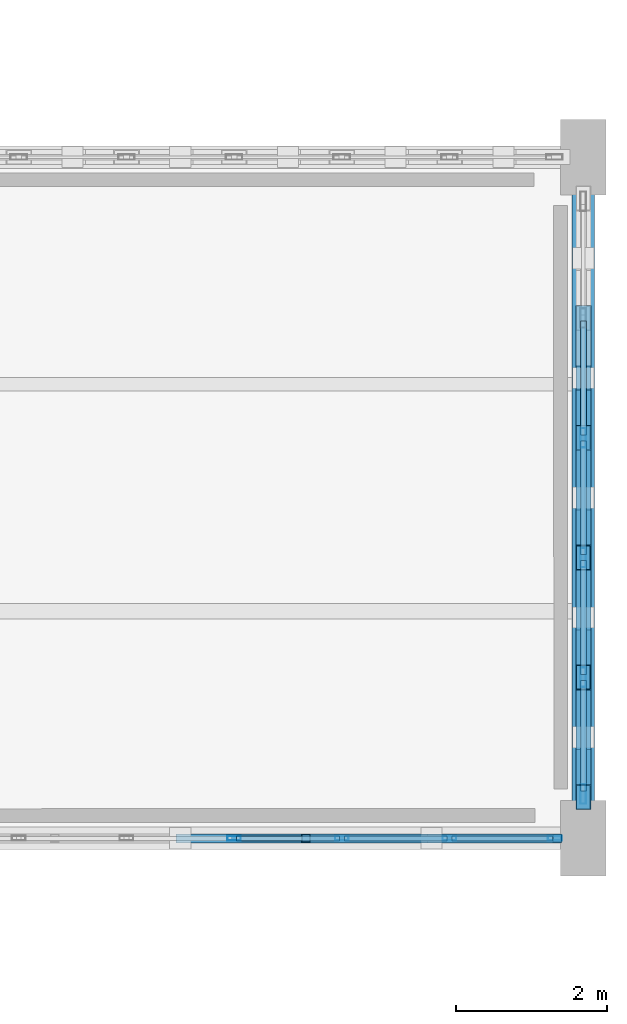
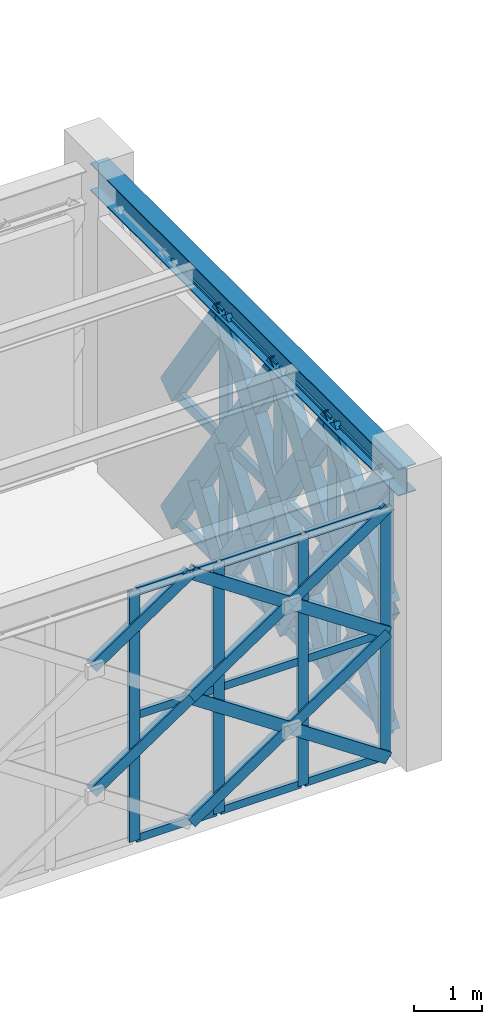
# One storey, part 115 of 155: 58 members, 1 beam, 2 elements without a shape of their own.
"""IFC4 building model written with IfcOpenShell, lengths in metres."""

from ifc_helpers import new_model, si_unit, direction, frame, origin, origin_2d, place, context, subcontext, project, spatial, hollow_rectangle, i_section, extrude, material, material_profile, profile_set, type_object, element, aggregate, save


model = new_model("IFC4")

# Units and contexts
model_context = context("Model", 3, precision=1e-05, world=origin(), true_north=direction((0.0, 1.0)))
body_context = subcontext(model_context, "Body", "Model", "MODEL_VIEW")
ifc_project = project(units=[si_unit("LENGTHUNIT", "METRE"), si_unit("AREAUNIT", "SQUARE_METRE"), si_unit("VOLUMEUNIT", "CUBIC_METRE"), si_unit("PLANEANGLEUNIT", "RADIAN"), si_unit("MASSUNIT", "GRAM", prefix="KILO")], contexts=[model_context])

# Site, building, storey
site_placement = place(None, origin())
site = spatial("IfcSite", under=ifc_project, at=site_placement, CompositionType="ELEMENT")
building_placement = place(site_placement, origin())
building = spatial("IfcBuilding", under=site, at=building_placement, Name="Haizhuo Lancet Aquarium", CompositionType="ELEMENT")
storey_placement = place(building_placement, frame((0.0, 0.0, 10.800048828125)))
storey = spatial("IfcBuildingStorey", under=building, at=storey_placement, Name="L02", CompositionType="ELEMENT", Elevation=10.800048828125)

# Beam
ifc_material_1 = material(Name="Steel S355", Category="steel")
ifc_material_profile_1 = material_profile(ifc_material_1, i_section(OverallWidth=0.300048828125, OverallDepth=0.488037109375, WebThickness=0.010986328125, FlangeThickness=0.01806640625, FilletRadius=0.02392578125, at=origin_2d()), Name="HM 488x300x11x18")
ifc_profile_set_1 = profile_set([ifc_material_profile_1], Name="Steel S355")
beam_type = type_object("IfcBeamType", Name="BM-ST-HM488", PredefinedType="BEAM", material=ifc_profile_set_1)
beam_placement = place(storey_placement, frame((82.5, 9.0, 4.805908203125), z_axis=(0.0, 1.0, 0.0), x_axis=(-1.0, 0.0, 0.0)))
element("IfcBeam", 1, at=beam_placement, inside=storey, type_object=beam_type, Name="L02 V7 primary girder BM-L02-V7-031", PredefinedType="BEAM", context=body_context, shape_type="SweptSolid", body=[
    extrude(i_section(OverallWidth=0.300048828125, OverallDepth=0.488037109375, WebThickness=0.010986328125, FlangeThickness=0.01806640625, FilletRadius=0.02392578125, at=origin_2d()), origin(), (0.0, 0.0, 1.0), 9.0),
])

# Curtain wall, members
ifc_material_2 = material(Name="Aluminium 6063-T6", Category="aluminium")
curtain_wall_type_1 = type_object("IfcCurtainWallType", Name="CWO-9960x4460", PredefinedType="NOTDEFINED", material=ifc_material_2)
curtain_wall_1_placement = place(storey_placement, origin())
curtain_wall_1 = element("IfcCurtainWall", 2, at=curtain_wall_1_placement, inside=storey, type_object=curtain_wall_type_1, Name="L02 curtain wall CW-V7-L02-304", PredefinedType="NOTDEFINED")
ifc_material_profile_2 = material_profile(ifc_material_2, hollow_rectangle(XDim=0.06494140625, YDim=0.179931640625, WallThickness=0.00390625, at=origin_2d()), Name="ALU-M 65x180x4")
ifc_profile_set_2 = profile_set([ifc_material_profile_2], Name="Aluminium 6063-T6")
member_type_1 = type_object("IfcMemberType", Name="CW-MUL-1", PredefinedType="MULLION", material=ifc_profile_set_2)
member_1_placement = place(storey_placement, frame((82.123046875, 9.0, 0.0), z_axis=(0.0, 0.0, 1.0), x_axis=(0.0, -1.0, 0.0)))
member_1 = element("IfcMember", 3, at=member_1_placement, type_object=member_type_1, Name="CWO-99x44 mullion 1", PredefinedType="MULLION", context=body_context, shape_type="SweptSolid", body=[
    extrude(hollow_rectangle(XDim=0.06494140625, YDim=0.179931640625, WallThickness=0.00390625, at=origin_2d()), origin(), (0.0, 0.0, 1.0), 4.4619140625),
])
member_2_placement = place(storey_placement, frame((80.73193359375, 9.0, 0.0), z_axis=(0.0, 0.0, 1.0), x_axis=(0.0, -1.0, 0.0)))
member_2 = element("IfcMember", 4, at=member_2_placement, type_object=member_type_1, Name="CWO-99x44 mullion 2", PredefinedType="MULLION", context=body_context, shape_type="SweptSolid", body=[
    extrude(hollow_rectangle(XDim=0.06494140625, YDim=0.179931640625, WallThickness=0.00390625, at=origin_2d()), origin(), (0.0, 0.0, 1.0), 4.4619140625),
])
member_3_placement = place(storey_placement, frame((79.30908203125, 9.0, 0.0), z_axis=(0.0, 0.0, 1.0), x_axis=(0.0, -1.0, 0.0)))
member_3 = element("IfcMember", 5, at=member_3_placement, type_object=member_type_1, Name="CWO-99x44 mullion 3", PredefinedType="MULLION", context=body_context, shape_type="SweptSolid", body=[
    extrude(hollow_rectangle(XDim=0.06494140625, YDim=0.179931640625, WallThickness=0.00390625, at=origin_2d()), origin(), (0.0, 0.0, 1.0), 4.4619140625),
])
member_4_placement = place(storey_placement, frame((77.885986328125, 9.0, 0.0), z_axis=(0.0, 0.0, 1.0), x_axis=(0.0, -1.0, 0.0)))
member_4 = element("IfcMember", 6, at=member_4_placement, type_object=member_type_1, Name="CWO-99x44 mullion 4", PredefinedType="MULLION", context=body_context, shape_type="SweptSolid", body=[
    extrude(hollow_rectangle(XDim=0.06494140625, YDim=0.179931640625, WallThickness=0.00390625, at=origin_2d()), origin(), (0.0, 0.0, 1.0), 4.4619140625),
])

curtain_wall_type_2 = type_object("IfcCurtainWallType", Name="CWD-7910x4560", PredefinedType="NOTDEFINED", material=ifc_material_2)
curtain_wall_2_placement = place(storey_placement, origin())
curtain_wall_2 = element("IfcCurtainWall", 7, at=curtain_wall_2_placement, inside=storey, type_object=curtain_wall_type_2, Name="L02 curtain wall CW-V7-L02-303", PredefinedType="NOTDEFINED")
ifc_material_profile_3 = material_profile(ifc_material_2, hollow_rectangle(XDim=0.080078125, YDim=0.260009765625, WallThickness=0.0048828125, at=origin_2d()), Name="ALU-M 80x260x5")
ifc_profile_set_3 = profile_set([ifc_material_profile_3], Name="Aluminium 6063-T6")
member_type_2 = type_object("IfcMemberType", Name="CW-MUL-3", PredefinedType="MULLION", material=ifc_profile_set_3)
member_5_placement = place(storey_placement, frame((82.5, 14.291015625, 0.0), z_axis=(0.0, 0.0, 1.0), x_axis=(1.0, 0.0, 0.0)))
member_5 = element("IfcMember", 8, at=member_5_placement, type_object=member_type_2, Name="CWD-79x45 mullion 3", PredefinedType="MULLION", context=body_context, shape_type="SweptSolid", body=[
    extrude(hollow_rectangle(XDim=0.080078125, YDim=0.260009765625, WallThickness=0.0048828125, at=origin_2d()), origin(), (0.0, 0.0, 1.0), 4.56201171875),
])
member_6_placement = place(storey_placement, frame((82.5, 12.708984375, 0.0), z_axis=(0.0, 0.0, 1.0), x_axis=(1.0, 0.0, 0.0)))
member_6 = element("IfcMember", 9, at=member_6_placement, type_object=member_type_2, Name="CWD-79x45 mullion 4", PredefinedType="MULLION", context=body_context, shape_type="SweptSolid", body=[
    extrude(hollow_rectangle(XDim=0.080078125, YDim=0.260009765625, WallThickness=0.0048828125, at=origin_2d()), origin(), (0.0, 0.0, 1.0), 4.56201171875),
])
member_7_placement = place(storey_placement, frame((82.5, 11.126953125, 0.0), z_axis=(0.0, 0.0, 1.0), x_axis=(1.0, 0.0, 0.0)))
member_7 = element("IfcMember", 10, at=member_7_placement, type_object=member_type_2, Name="CWD-79x45 mullion 5", PredefinedType="MULLION", context=body_context, shape_type="SweptSolid", body=[
    extrude(hollow_rectangle(XDim=0.080078125, YDim=0.260009765625, WallThickness=0.0048828125, at=origin_2d()), origin(), (0.0, 0.0, 1.0), 4.56201171875),
])
member_8_placement = place(storey_placement, frame((82.5, 9.5849609375, 0.0), z_axis=(0.0, 0.0, 1.0), x_axis=(1.0, 0.0, 0.0)))
member_8 = element("IfcMember", 11, at=member_8_placement, type_object=member_type_2, Name="CWD-79x45 mullion 6", PredefinedType="MULLION", context=body_context, shape_type="SweptSolid", body=[
    extrude(hollow_rectangle(XDim=0.080078125, YDim=0.260009765625, WallThickness=0.0048828125, at=origin_2d()), origin(), (0.0, 0.0, 1.0), 4.56201171875),
])

# Member
ifc_material_profile_4 = material_profile(ifc_material_2, hollow_rectangle(XDim=0.06494140625, YDim=0.139892578125, WallThickness=0.00390625, at=origin_2d()), Name="ALU-T 65x140x4")
ifc_profile_set_4 = profile_set([ifc_material_profile_4], Name="Aluminium 6063-T6")
member_type_3 = type_object("IfcMemberType", Name="CW-TRN-1", PredefinedType="NOTDEFINED", material=ifc_profile_set_4)
member_9_placement = place(storey_placement, frame((82.090087890625, 9.0, 0.032958984375), z_axis=(-1.0, 0.0, 0.0), x_axis=(0.0, -1.0, 0.0)))
member_9 = element("IfcMember", 12, at=member_9_placement, type_object=member_type_3, Name="CWO-99x44 transom 1.1", ObjectType="TRANSOM", PredefinedType="USERDEFINED", context=body_context, shape_type="SweptSolid", body=[
    extrude(hollow_rectangle(XDim=0.06494140625, YDim=0.139892578125, WallThickness=0.00390625, at=origin_2d()), origin(), (0.0, 0.0, 1.0), 1.3251953125),
])

member_10_placement = place(storey_placement, frame((82.090087890625, 9.0, 2.23095703125), z_axis=(-1.0, 0.0, 0.0), x_axis=(0.0, -1.0, 0.0)))
member_10 = element("IfcMember", 13, at=member_10_placement, type_object=member_type_3, Name="CWO-99x44 transom 1.2", ObjectType="TRANSOM", PredefinedType="USERDEFINED", context=body_context, shape_type="SweptSolid", body=[
    extrude(hollow_rectangle(XDim=0.06494140625, YDim=0.139892578125, WallThickness=0.00390625, at=origin_2d()), origin(), (0.0, 0.0, 1.0), 1.3251953125),
])

member_11_placement = place(storey_placement, frame((82.090087890625, 9.0, 4.428955078125), z_axis=(-1.0, 0.0, 0.0), x_axis=(0.0, -1.0, 0.0)))
member_11 = element("IfcMember", 14, at=member_11_placement, type_object=member_type_3, Name="CWO-99x44 transom 1.3", ObjectType="TRANSOM", PredefinedType="USERDEFINED", context=body_context, shape_type="SweptSolid", body=[
    extrude(hollow_rectangle(XDim=0.06494140625, YDim=0.139892578125, WallThickness=0.00390625, at=origin_2d()), origin(), (0.0, 0.0, 1.0), 1.3251953125),
])

member_12_placement = place(storey_placement, frame((80.699951171875, 9.0, 0.032958984375), z_axis=(-1.0, 0.0, 0.0), x_axis=(0.0, -1.0, 0.0)))
member_12 = element("IfcMember", 15, at=member_12_placement, type_object=member_type_3, Name="CWO-99x44 transom 2.1", ObjectType="TRANSOM", PredefinedType="USERDEFINED", context=body_context, shape_type="SweptSolid", body=[
    extrude(hollow_rectangle(XDim=0.06494140625, YDim=0.139892578125, WallThickness=0.00390625, at=origin_2d()), origin(), (0.0, 0.0, 1.0), 1.35791015625),
])

member_13_placement = place(storey_placement, frame((80.699951171875, 9.0, 2.23095703125), z_axis=(-1.0, 0.0, 0.0), x_axis=(0.0, -1.0, 0.0)))
member_13 = element("IfcMember", 16, at=member_13_placement, type_object=member_type_3, Name="CWO-99x44 transom 2.2", ObjectType="TRANSOM", PredefinedType="USERDEFINED", context=body_context, shape_type="SweptSolid", body=[
    extrude(hollow_rectangle(XDim=0.06494140625, YDim=0.139892578125, WallThickness=0.00390625, at=origin_2d()), origin(), (0.0, 0.0, 1.0), 1.35791015625),
])

member_14_placement = place(storey_placement, frame((80.699951171875, 9.0, 4.428955078125), z_axis=(-1.0, 0.0, 0.0), x_axis=(0.0, -1.0, 0.0)))
member_14 = element("IfcMember", 17, at=member_14_placement, type_object=member_type_3, Name="CWO-99x44 transom 2.3", ObjectType="TRANSOM", PredefinedType="USERDEFINED", context=body_context, shape_type="SweptSolid", body=[
    extrude(hollow_rectangle(XDim=0.06494140625, YDim=0.139892578125, WallThickness=0.00390625, at=origin_2d()), origin(), (0.0, 0.0, 1.0), 1.35791015625),
])

member_15_placement = place(storey_placement, frame((79.277099609375, 9.0, 0.032958984375), z_axis=(-1.0, 0.0, 0.0), x_axis=(0.0, -1.0, 0.0)))
member_15 = element("IfcMember", 18, at=member_15_placement, type_object=member_type_3, Name="CWO-99x44 transom 3.1", ObjectType="TRANSOM", PredefinedType="USERDEFINED", context=body_context, shape_type="SweptSolid", body=[
    extrude(hollow_rectangle(XDim=0.06494140625, YDim=0.139892578125, WallThickness=0.00390625, at=origin_2d()), origin(), (0.0, 0.0, 1.0), 1.358154296875),
])

member_16_placement = place(storey_placement, frame((79.277099609375, 9.0, 2.23095703125), z_axis=(-1.0, 0.0, 0.0), x_axis=(0.0, -1.0, 0.0)))
member_16 = element("IfcMember", 19, at=member_16_placement, type_object=member_type_3, Name="CWO-99x44 transom 3.2", ObjectType="TRANSOM", PredefinedType="USERDEFINED", context=body_context, shape_type="SweptSolid", body=[
    extrude(hollow_rectangle(XDim=0.06494140625, YDim=0.139892578125, WallThickness=0.00390625, at=origin_2d()), origin(), (0.0, 0.0, 1.0), 1.358154296875),
])

member_17_placement = place(storey_placement, frame((79.277099609375, 9.0, 4.428955078125), z_axis=(-1.0, 0.0, 0.0), x_axis=(0.0, -1.0, 0.0)))
member_17 = element("IfcMember", 20, at=member_17_placement, type_object=member_type_3, Name="CWO-99x44 transom 3.3", ObjectType="TRANSOM", PredefinedType="USERDEFINED", context=body_context, shape_type="SweptSolid", body=[
    extrude(hollow_rectangle(XDim=0.06494140625, YDim=0.139892578125, WallThickness=0.00390625, at=origin_2d()), origin(), (0.0, 0.0, 1.0), 1.358154296875),
])

aggregate(curtain_wall_1, [member_1, member_2, member_3, member_4, member_9, member_10, member_11, member_12, member_13, member_14, member_15, member_16, member_17])

ifc_material_profile_5 = material_profile(ifc_material_2, hollow_rectangle(XDim=0.080078125, YDim=0.18994140625, WallThickness=0.0048828125, at=origin_2d()), Name="ALU-T 80x190x5")
ifc_profile_set_5 = profile_set([ifc_material_profile_5], Name="Aluminium 6063-T6")
member_type_4 = type_object("IfcMemberType", Name="CW-TRN-3", PredefinedType="NOTDEFINED", material=ifc_profile_set_5)
member_18_placement = place(storey_placement, frame((82.5, 15.8330078125, 0.0400390625), z_axis=(0.0, -1.0, 0.0), x_axis=(1.0, 0.0, 0.0)))
member_18 = element("IfcMember", 21, at=member_18_placement, type_object=member_type_4, Name="CWD-79x45 transom 2.1", ObjectType="TRANSOM", PredefinedType="USERDEFINED", context=body_context, shape_type="SweptSolid", body=[
    extrude(hollow_rectangle(XDim=0.080078125, YDim=0.18994140625, WallThickness=0.0048828125, at=origin_2d()), origin(), (0.0, 0.0, 1.0), 1.501953125),
])

member_19_placement = place(storey_placement, frame((82.5, 15.8330078125, 2.281005859375), z_axis=(0.0, -1.0, 0.0), x_axis=(1.0, 0.0, 0.0)))
member_19 = element("IfcMember", 22, at=member_19_placement, type_object=member_type_4, Name="CWD-79x45 transom 2.2", ObjectType="TRANSOM", PredefinedType="USERDEFINED", context=body_context, shape_type="SweptSolid", body=[
    extrude(hollow_rectangle(XDim=0.080078125, YDim=0.18994140625, WallThickness=0.0048828125, at=origin_2d()), origin(), (0.0, 0.0, 1.0), 1.501953125),
])

member_20_placement = place(storey_placement, frame((82.5, 15.8330078125, 4.52197265625), z_axis=(0.0, -1.0, 0.0), x_axis=(1.0, 0.0, 0.0)))
member_20 = element("IfcMember", 23, at=member_20_placement, type_object=member_type_4, Name="CWD-79x45 transom 2.3", ObjectType="TRANSOM", PredefinedType="USERDEFINED", context=body_context, shape_type="SweptSolid", body=[
    extrude(hollow_rectangle(XDim=0.080078125, YDim=0.18994140625, WallThickness=0.0048828125, at=origin_2d()), origin(), (0.0, 0.0, 1.0), 1.501953125),
])

member_21_placement = place(storey_placement, frame((82.5, 14.2509765625, 0.0400390625), z_axis=(0.0, -1.0, 0.0), x_axis=(1.0, 0.0, 0.0)))
member_21 = element("IfcMember", 24, at=member_21_placement, type_object=member_type_4, Name="CWD-79x45 transom 3.1", ObjectType="TRANSOM", PredefinedType="USERDEFINED", context=body_context, shape_type="SweptSolid", body=[
    extrude(hollow_rectangle(XDim=0.080078125, YDim=0.18994140625, WallThickness=0.0048828125, at=origin_2d()), origin(), (0.0, 0.0, 1.0), 1.501953125),
])

member_22_placement = place(storey_placement, frame((82.5, 14.2509765625, 2.281005859375), z_axis=(0.0, -1.0, 0.0), x_axis=(1.0, 0.0, 0.0)))
member_22 = element("IfcMember", 25, at=member_22_placement, type_object=member_type_4, Name="CWD-79x45 transom 3.2", ObjectType="TRANSOM", PredefinedType="USERDEFINED", context=body_context, shape_type="SweptSolid", body=[
    extrude(hollow_rectangle(XDim=0.080078125, YDim=0.18994140625, WallThickness=0.0048828125, at=origin_2d()), origin(), (0.0, 0.0, 1.0), 1.501953125),
])

member_23_placement = place(storey_placement, frame((82.5, 14.2509765625, 4.52197265625), z_axis=(0.0, -1.0, 0.0), x_axis=(1.0, 0.0, 0.0)))
member_23 = element("IfcMember", 26, at=member_23_placement, type_object=member_type_4, Name="CWD-79x45 transom 3.3", ObjectType="TRANSOM", PredefinedType="USERDEFINED", context=body_context, shape_type="SweptSolid", body=[
    extrude(hollow_rectangle(XDim=0.080078125, YDim=0.18994140625, WallThickness=0.0048828125, at=origin_2d()), origin(), (0.0, 0.0, 1.0), 1.501953125),
])

member_24_placement = place(storey_placement, frame((82.5, 12.6689453125, 0.0400390625), z_axis=(0.0, -1.0, 0.0), x_axis=(1.0, 0.0, 0.0)))
member_24 = element("IfcMember", 27, at=member_24_placement, type_object=member_type_4, Name="CWD-79x45 transom 4.1", ObjectType="TRANSOM", PredefinedType="USERDEFINED", context=body_context, shape_type="SweptSolid", body=[
    extrude(hollow_rectangle(XDim=0.080078125, YDim=0.18994140625, WallThickness=0.0048828125, at=origin_2d()), origin(), (0.0, 0.0, 1.0), 1.501953125),
])

member_25_placement = place(storey_placement, frame((82.5, 12.6689453125, 2.281005859375), z_axis=(0.0, -1.0, 0.0), x_axis=(1.0, 0.0, 0.0)))
member_25 = element("IfcMember", 28, at=member_25_placement, type_object=member_type_4, Name="CWD-79x45 transom 4.2", ObjectType="TRANSOM", PredefinedType="USERDEFINED", context=body_context, shape_type="SweptSolid", body=[
    extrude(hollow_rectangle(XDim=0.080078125, YDim=0.18994140625, WallThickness=0.0048828125, at=origin_2d()), origin(), (0.0, 0.0, 1.0), 1.501953125),
])

member_26_placement = place(storey_placement, frame((82.5, 12.6689453125, 4.52197265625), z_axis=(0.0, -1.0, 0.0), x_axis=(1.0, 0.0, 0.0)))
member_26 = element("IfcMember", 29, at=member_26_placement, type_object=member_type_4, Name="CWD-79x45 transom 4.3", ObjectType="TRANSOM", PredefinedType="USERDEFINED", context=body_context, shape_type="SweptSolid", body=[
    extrude(hollow_rectangle(XDim=0.080078125, YDim=0.18994140625, WallThickness=0.0048828125, at=origin_2d()), origin(), (0.0, 0.0, 1.0), 1.501953125),
])

member_27_placement = place(storey_placement, frame((82.5, 11.0869140625, 0.0400390625), z_axis=(0.0, -1.0, 0.0), x_axis=(1.0, 0.0, 0.0)))
member_27 = element("IfcMember", 30, at=member_27_placement, type_object=member_type_4, Name="CWD-79x45 transom 5.1", ObjectType="TRANSOM", PredefinedType="USERDEFINED", context=body_context, shape_type="SweptSolid", body=[
    extrude(hollow_rectangle(XDim=0.080078125, YDim=0.18994140625, WallThickness=0.0048828125, at=origin_2d()), origin(), (0.0, 0.0, 1.0), 1.4619140625),
])

member_28_placement = place(storey_placement, frame((82.5, 11.0869140625, 2.281005859375), z_axis=(0.0, -1.0, 0.0), x_axis=(1.0, 0.0, 0.0)))
member_28 = element("IfcMember", 31, at=member_28_placement, type_object=member_type_4, Name="CWD-79x45 transom 5.2", ObjectType="TRANSOM", PredefinedType="USERDEFINED", context=body_context, shape_type="SweptSolid", body=[
    extrude(hollow_rectangle(XDim=0.080078125, YDim=0.18994140625, WallThickness=0.0048828125, at=origin_2d()), origin(), (0.0, 0.0, 1.0), 1.4619140625),
])

member_29_placement = place(storey_placement, frame((82.5, 11.0869140625, 4.52197265625), z_axis=(0.0, -1.0, 0.0), x_axis=(1.0, 0.0, 0.0)))
member_29 = element("IfcMember", 32, at=member_29_placement, type_object=member_type_4, Name="CWD-79x45 transom 5.3", ObjectType="TRANSOM", PredefinedType="USERDEFINED", context=body_context, shape_type="SweptSolid", body=[
    extrude(hollow_rectangle(XDim=0.080078125, YDim=0.18994140625, WallThickness=0.0048828125, at=origin_2d()), origin(), (0.0, 0.0, 1.0), 1.4619140625),
])

aggregate(curtain_wall_2, [member_5, member_6, member_7, member_8, member_18, member_19, member_20, member_21, member_22, member_23, member_24, member_25, member_26, member_27, member_28, member_29])

# Members
ifc_material_profile_6 = material_profile(ifc_material_1, hollow_rectangle(XDim=0.1201171875, YDim=0.199951171875, WallThickness=0.008056640625, at=origin_2d()), Name="RHS 120x200x8")
ifc_profile_set_6 = profile_set([ifc_material_profile_6], Name="Steel S355")
member_type_5 = type_object("IfcMemberType", Name="MEM-LB-RHS120x200", PredefinedType="BRACE", material=ifc_profile_set_6)
member_30_placement = place(storey_placement, frame((82.155029296875, 9.0, 0.0), z_axis=(-0.83001648844, 0.0, 0.557738853692), x_axis=(0.0, -1.0, 0.0)))
element("IfcMember", 33, at=member_30_placement, inside=storey, type_object=member_type_5, Name="Gothic lancet continuous diagonal brace CW-V7-L02-304 1A", PredefinedType="BRACE", context=body_context, shape_type="SweptSolid", body=[
    extrude(hollow_rectangle(XDim=0.1201171875, YDim=0.199951171875, WallThickness=0.008056640625, at=origin_2d()), origin(), (0.0, 0.0, 1.0), 4.0),
])
member_31_placement = place(storey_placement, frame((78.8349609375, 9.0, 0.0), z_axis=(0.829922460032, 0.0, 0.55787875953), x_axis=(0.0, 1.0, 0.0)))
element("IfcMember", 34, at=member_31_placement, inside=storey, type_object=member_type_5, Name="Gothic lancet split diagonal brace CW-V7-L02-304 1B1", PredefinedType="BRACE", context=body_context, shape_type="SweptSolid", body=[
    extrude(hollow_rectangle(XDim=0.1201171875, YDim=0.199951171875, WallThickness=0.008056640625, at=origin_2d()), origin(), (0.0, 0.0, 1.0), 2.00048828125),
])
member_32_placement = place(storey_placement, frame((80.4951171875, 9.0, 1.115966796875), z_axis=(0.83011052839, 0.0, 0.557598879712), x_axis=(0.0, 1.0, 0.0)))
element("IfcMember", 35, at=member_32_placement, inside=storey, type_object=member_type_5, Name="Gothic lancet split diagonal brace CW-V7-L02-304 1B2", PredefinedType="BRACE", context=body_context, shape_type="SweptSolid", body=[
    extrude(hollow_rectangle(XDim=0.1201171875, YDim=0.199951171875, WallThickness=0.008056640625, at=origin_2d()), origin(), (0.0, 0.0, 1.0), 1.99951171875),
])
member_33_placement = place(storey_placement, frame((82.155029296875, 9.0, 2.23095703125), z_axis=(-0.83001648844, 0.0, 0.557738853692), x_axis=(0.0, -1.0, 0.0)))
element("IfcMember", 36, at=member_33_placement, inside=storey, type_object=member_type_5, Name="Gothic lancet continuous diagonal brace CW-V7-L02-304 2A", PredefinedType="BRACE", context=body_context, shape_type="SweptSolid", body=[
    extrude(hollow_rectangle(XDim=0.1201171875, YDim=0.199951171875, WallThickness=0.008056640625, at=origin_2d()), origin(), (0.0, 0.0, 1.0), 4.0),
])
member_34_placement = place(storey_placement, frame((78.8349609375, 9.0, 2.23095703125), z_axis=(0.83014848336, 0.0, 0.557542371103), x_axis=(0.0, 1.0, 0.0)))
element("IfcMember", 37, at=member_34_placement, inside=storey, type_object=member_type_5, Name="Gothic lancet split diagonal brace CW-V7-L02-304 2B1", PredefinedType="BRACE", context=body_context, shape_type="SweptSolid", body=[
    extrude(hollow_rectangle(XDim=0.1201171875, YDim=0.199951171875, WallThickness=0.008056640625, at=origin_2d()), origin(), (0.0, 0.0, 1.0), 1.999755859375),
])
member_35_placement = place(storey_placement, frame((80.4951171875, 9.0, 3.345947265625), z_axis=(0.829884469599, 0.0, 0.557935271442), x_axis=(0.0, 1.0, 0.0)))
element("IfcMember", 38, at=member_35_placement, inside=storey, type_object=member_type_5, Name="Gothic lancet split diagonal brace CW-V7-L02-304 2B2", PredefinedType="BRACE", context=body_context, shape_type="SweptSolid", body=[
    extrude(hollow_rectangle(XDim=0.1201171875, YDim=0.199951171875, WallThickness=0.008056640625, at=origin_2d()), origin(), (0.0, 0.0, 1.0), 2.000244140625),
])
member_36_placement = place(storey_placement, frame((77.175048828125, 9.0, 1.115966796875), z_axis=(0.83011052839, 0.0, 0.557598879712), x_axis=(0.0, 1.0, 0.0)))
element("IfcMember", 39, at=member_36_placement, inside=storey, type_object=member_type_5, Name="Gothic lancet split diagonal brace CW-V7-L02-304 3B2", PredefinedType="BRACE", context=body_context, shape_type="SweptSolid", body=[
    extrude(hollow_rectangle(XDim=0.1201171875, YDim=0.199951171875, WallThickness=0.008056640625, at=origin_2d()), origin(), (0.0, 0.0, 1.0), 1.99951171875),
])
member_37_placement = place(storey_placement, frame((77.175048828125, 9.0, 3.345947265625), z_axis=(0.829884469599, 0.0, 0.557935271442), x_axis=(0.0, 1.0, 0.0)))
element("IfcMember", 40, at=member_37_placement, inside=storey, type_object=member_type_5, Name="Gothic lancet split diagonal brace CW-V7-L02-304 4B2", PredefinedType="BRACE", context=body_context, shape_type="SweptSolid", body=[
    extrude(hollow_rectangle(XDim=0.1201171875, YDim=0.199951171875, WallThickness=0.008056640625, at=origin_2d()), origin(), (0.0, 0.0, 1.0), 2.000244140625),
])
ifc_material_profile_7 = material_profile(ifc_material_1, hollow_rectangle(XDim=0.199951171875, YDim=0.39990234375, WallThickness=0.011962890625, at=origin_2d()), Name="RHS 200x400x12")
ifc_profile_set_7 = profile_set([ifc_material_profile_7], Name="Steel S355")
member_type_6 = type_object("IfcMemberType", Name="MEM-LB-RHS200x400", PredefinedType="BRACE", material=ifc_profile_set_7)
member_38_placement = place(storey_placement, frame((82.5, 15.873046875, 0.0), z_axis=(0.0, -0.569909494911, 0.821707470826), x_axis=(1.0, 0.0, 0.0)))
element("IfcMember", 41, at=member_38_placement, inside=storey, type_object=member_type_6, Name="Gothic lancet continuous diagonal brace CW-V7-L02-303 3A", PredefinedType="BRACE", context=body_context, shape_type="SweptSolid", body=[
    extrude(hollow_rectangle(XDim=0.199951171875, YDim=0.39990234375, WallThickness=0.011962890625, at=origin_2d()), origin(), (0.0, 0.0, 1.0), 2.77587890625),
])
member_39_placement = place(storey_placement, frame((82.5, 14.291015625, 0.0), z_axis=(0.0, 0.569785956003, 0.82179313963), x_axis=(-1.0, 0.0, 0.0)))
element("IfcMember", 42, at=member_39_placement, inside=storey, type_object=member_type_6, Name="Gothic lancet split diagonal brace CW-V7-L02-303 3B1", PredefinedType="BRACE", context=body_context, shape_type="SweptSolid", body=[
    extrude(hollow_rectangle(XDim=0.199951171875, YDim=0.39990234375, WallThickness=0.011962890625, at=origin_2d()), origin(), (0.0, 0.0, 1.0), 1.38818359375),
])
for number, where, z_axis, x_axis, name in (
    (43, (82.5, 15.873046875, 2.281005859375), (0.0, -0.569909494911, 0.821707470826), (1.0, 0.0, 0.0), "Gothic lancet continuous diagonal brace CW-V7-L02-303 4A"),
    (44, (82.5, 14.291015625, 0.0), (0.0, -0.569909494911, 0.821707470826), (1.0, 0.0, 0.0), "Gothic lancet continuous diagonal brace CW-V7-L02-303 5A"),
):
    element("IfcMember", number, at=place(storey_placement, frame(where, z_axis=z_axis, x_axis=x_axis)), inside=storey, type_object=member_type_6, Name=name, PredefinedType="BRACE", context=body_context, shape_type="SweptSolid", body=[
        extrude(hollow_rectangle(XDim=0.199951171875, YDim=0.39990234375, WallThickness=0.011962890625, at=origin_2d()), origin(), (0.0, 0.0, 1.0), 2.77587890625),
    ])
member_40_placement = place(storey_placement, frame((82.5, 12.708984375, 0.0), z_axis=(0.0, 0.569785956003, 0.82179313963), x_axis=(-1.0, 0.0, 0.0)))
element("IfcMember", 45, at=member_40_placement, inside=storey, type_object=member_type_6, Name="Gothic lancet split diagonal brace CW-V7-L02-303 5B1", PredefinedType="BRACE", context=body_context, shape_type="SweptSolid", body=[
    extrude(hollow_rectangle(XDim=0.199951171875, YDim=0.39990234375, WallThickness=0.011962890625, at=origin_2d()), origin(), (0.0, 0.0, 1.0), 1.38818359375),
])
member_41_placement = place(storey_placement, frame((82.5, 13.5, 1.140869140625), z_axis=(0.0, 0.570033074509, 0.821621746283), x_axis=(-1.0, 0.0, 0.0)))
element("IfcMember", 46, at=member_41_placement, inside=storey, type_object=member_type_6, Name="Gothic lancet split diagonal brace CW-V7-L02-303 5B2", PredefinedType="BRACE", context=body_context, shape_type="SweptSolid", body=[
    extrude(hollow_rectangle(XDim=0.199951171875, YDim=0.39990234375, WallThickness=0.011962890625, at=origin_2d()), origin(), (0.0, 0.0, 1.0), 1.3876953125),
])
member_42_placement = place(storey_placement, frame((82.5, 14.291015625, 2.281005859375), z_axis=(0.0, -0.569909494911, 0.821707470826), x_axis=(1.0, 0.0, 0.0)))
element("IfcMember", 47, at=member_42_placement, inside=storey, type_object=member_type_6, Name="Gothic lancet continuous diagonal brace CW-V7-L02-303 6A", PredefinedType="BRACE", context=body_context, shape_type="SweptSolid", body=[
    extrude(hollow_rectangle(XDim=0.199951171875, YDim=0.39990234375, WallThickness=0.011962890625, at=origin_2d()), origin(), (0.0, 0.0, 1.0), 2.77587890625),
])
member_43_placement = place(storey_placement, frame((82.5, 12.708984375, 2.281005859375), z_axis=(0.0, 0.570115483519, 0.821564565602), x_axis=(-1.0, 0.0, 0.0)))
element("IfcMember", 48, at=member_43_placement, inside=storey, type_object=member_type_6, Name="Gothic lancet split diagonal brace CW-V7-L02-303 6B1", PredefinedType="BRACE", context=body_context, shape_type="SweptSolid", body=[
    extrude(hollow_rectangle(XDim=0.199951171875, YDim=0.39990234375, WallThickness=0.011962890625, at=origin_2d()), origin(), (0.0, 0.0, 1.0), 1.387451171875),
])
member_44_placement = place(storey_placement, frame((82.5, 13.5, 3.4208984375), z_axis=(0.0, 0.569703619331, 0.821850221221), x_axis=(-1.0, 0.0, 0.0)))
element("IfcMember", 49, at=member_44_placement, inside=storey, type_object=member_type_6, Name="Gothic lancet split diagonal brace CW-V7-L02-303 6B2", PredefinedType="BRACE", context=body_context, shape_type="SweptSolid", body=[
    extrude(hollow_rectangle(XDim=0.199951171875, YDim=0.39990234375, WallThickness=0.011962890625, at=origin_2d()), origin(), (0.0, 0.0, 1.0), 1.388427734375),
])
member_45_placement = place(storey_placement, frame((82.5, 12.708984375, 0.0), z_axis=(0.0, -0.569909494911, 0.821707470826), x_axis=(1.0, 0.0, 0.0)))
element("IfcMember", 50, at=member_45_placement, inside=storey, type_object=member_type_6, Name="Gothic lancet continuous diagonal brace CW-V7-L02-303 7A", PredefinedType="BRACE", context=body_context, shape_type="SweptSolid", body=[
    extrude(hollow_rectangle(XDim=0.199951171875, YDim=0.39990234375, WallThickness=0.011962890625, at=origin_2d()), origin(), (0.0, 0.0, 1.0), 2.77587890625),
])
member_46_placement = place(storey_placement, frame((82.5, 11.126953125, 0.0), z_axis=(0.0, 0.569785956003, 0.82179313963), x_axis=(-1.0, 0.0, 0.0)))
element("IfcMember", 51, at=member_46_placement, inside=storey, type_object=member_type_6, Name="Gothic lancet split diagonal brace CW-V7-L02-303 7B1", PredefinedType="BRACE", context=body_context, shape_type="SweptSolid", body=[
    extrude(hollow_rectangle(XDim=0.199951171875, YDim=0.39990234375, WallThickness=0.011962890625, at=origin_2d()), origin(), (0.0, 0.0, 1.0), 1.38818359375),
])
member_47_placement = place(storey_placement, frame((82.5, 11.91796875, 1.140869140625), z_axis=(0.0, 0.570033074509, 0.821621746283), x_axis=(-1.0, 0.0, 0.0)))
element("IfcMember", 52, at=member_47_placement, inside=storey, type_object=member_type_6, Name="Gothic lancet split diagonal brace CW-V7-L02-303 7B2", PredefinedType="BRACE", context=body_context, shape_type="SweptSolid", body=[
    extrude(hollow_rectangle(XDim=0.199951171875, YDim=0.39990234375, WallThickness=0.011962890625, at=origin_2d()), origin(), (0.0, 0.0, 1.0), 1.3876953125),
])
member_48_placement = place(storey_placement, frame((82.5, 12.708984375, 2.281005859375), z_axis=(0.0, -0.569909494911, 0.821707470826), x_axis=(1.0, 0.0, 0.0)))
element("IfcMember", 53, at=member_48_placement, inside=storey, type_object=member_type_6, Name="Gothic lancet continuous diagonal brace CW-V7-L02-303 8A", PredefinedType="BRACE", context=body_context, shape_type="SweptSolid", body=[
    extrude(hollow_rectangle(XDim=0.199951171875, YDim=0.39990234375, WallThickness=0.011962890625, at=origin_2d()), origin(), (0.0, 0.0, 1.0), 2.77587890625),
])
member_49_placement = place(storey_placement, frame((82.5, 11.126953125, 2.281005859375), z_axis=(0.0, 0.570115483519, 0.821564565602), x_axis=(-1.0, 0.0, 0.0)))
element("IfcMember", 54, at=member_49_placement, inside=storey, type_object=member_type_6, Name="Gothic lancet split diagonal brace CW-V7-L02-303 8B1", PredefinedType="BRACE", context=body_context, shape_type="SweptSolid", body=[
    extrude(hollow_rectangle(XDim=0.199951171875, YDim=0.39990234375, WallThickness=0.011962890625, at=origin_2d()), origin(), (0.0, 0.0, 1.0), 1.387451171875),
])
member_50_placement = place(storey_placement, frame((82.5, 11.91796875, 3.4208984375), z_axis=(0.0, 0.569703619331, 0.821850221221), x_axis=(-1.0, 0.0, 0.0)))
element("IfcMember", 55, at=member_50_placement, inside=storey, type_object=member_type_6, Name="Gothic lancet split diagonal brace CW-V7-L02-303 8B2", PredefinedType="BRACE", context=body_context, shape_type="SweptSolid", body=[
    extrude(hollow_rectangle(XDim=0.199951171875, YDim=0.39990234375, WallThickness=0.011962890625, at=origin_2d()), origin(), (0.0, 0.0, 1.0), 1.388427734375),
])
member_51_placement = place(storey_placement, frame((82.5, 11.126953125, 0.0), z_axis=(0.0, -0.569909494911, 0.821707470826), x_axis=(1.0, 0.0, 0.0)))
element("IfcMember", 56, at=member_51_placement, inside=storey, type_object=member_type_6, Name="Gothic lancet continuous diagonal brace CW-V7-L02-303 9A", PredefinedType="BRACE", context=body_context, shape_type="SweptSolid", body=[
    extrude(hollow_rectangle(XDim=0.199951171875, YDim=0.39990234375, WallThickness=0.011962890625, at=origin_2d()), origin(), (0.0, 0.0, 1.0), 2.77587890625),
])
member_52_placement = place(storey_placement, frame((82.5, 9.544921875, 0.0), z_axis=(0.0, 0.569785956003, 0.82179313963), x_axis=(-1.0, 0.0, 0.0)))
element("IfcMember", 57, at=member_52_placement, inside=storey, type_object=member_type_6, Name="Gothic lancet split diagonal brace CW-V7-L02-303 9B1", PredefinedType="BRACE", context=body_context, shape_type="SweptSolid", body=[
    extrude(hollow_rectangle(XDim=0.199951171875, YDim=0.39990234375, WallThickness=0.011962890625, at=origin_2d()), origin(), (0.0, 0.0, 1.0), 1.38818359375),
])
member_53_placement = place(storey_placement, frame((82.5, 10.3359375, 1.140869140625), z_axis=(0.0, 0.570033074509, 0.821621746283), x_axis=(-1.0, 0.0, 0.0)))
element("IfcMember", 58, at=member_53_placement, inside=storey, type_object=member_type_6, Name="Gothic lancet split diagonal brace CW-V7-L02-303 9B2", PredefinedType="BRACE", context=body_context, shape_type="SweptSolid", body=[
    extrude(hollow_rectangle(XDim=0.199951171875, YDim=0.39990234375, WallThickness=0.011962890625, at=origin_2d()), origin(), (0.0, 0.0, 1.0), 1.3876953125),
])
member_54_placement = place(storey_placement, frame((82.5, 11.126953125, 2.281005859375), z_axis=(0.0, -0.569909494911, 0.821707470826), x_axis=(1.0, 0.0, 0.0)))
element("IfcMember", 59, at=member_54_placement, inside=storey, type_object=member_type_6, Name="Gothic lancet continuous diagonal brace CW-V7-L02-303 10A", PredefinedType="BRACE", context=body_context, shape_type="SweptSolid", body=[
    extrude(hollow_rectangle(XDim=0.199951171875, YDim=0.39990234375, WallThickness=0.011962890625, at=origin_2d()), origin(), (0.0, 0.0, 1.0), 2.77587890625),
])
member_55_placement = place(storey_placement, frame((82.5, 9.544921875, 2.281005859375), z_axis=(0.0, 0.570115483519, 0.821564565602), x_axis=(-1.0, 0.0, 0.0)))
element("IfcMember", 60, at=member_55_placement, inside=storey, type_object=member_type_6, Name="Gothic lancet split diagonal brace CW-V7-L02-303 10B1", PredefinedType="BRACE", context=body_context, shape_type="SweptSolid", body=[
    extrude(hollow_rectangle(XDim=0.199951171875, YDim=0.39990234375, WallThickness=0.011962890625, at=origin_2d()), origin(), (0.0, 0.0, 1.0), 1.387451171875),
])
member_56_placement = place(storey_placement, frame((82.5, 10.3359375, 3.4208984375), z_axis=(0.0, 0.569703619331, 0.821850221221), x_axis=(-1.0, 0.0, 0.0)))
element("IfcMember", 61, at=member_56_placement, inside=storey, type_object=member_type_6, Name="Gothic lancet split diagonal brace CW-V7-L02-303 10B2", PredefinedType="BRACE", context=body_context, shape_type="SweptSolid", body=[
    extrude(hollow_rectangle(XDim=0.199951171875, YDim=0.39990234375, WallThickness=0.011962890625, at=origin_2d()), origin(), (0.0, 0.0, 1.0), 1.388427734375),
])

save(model, "model.ifc")
